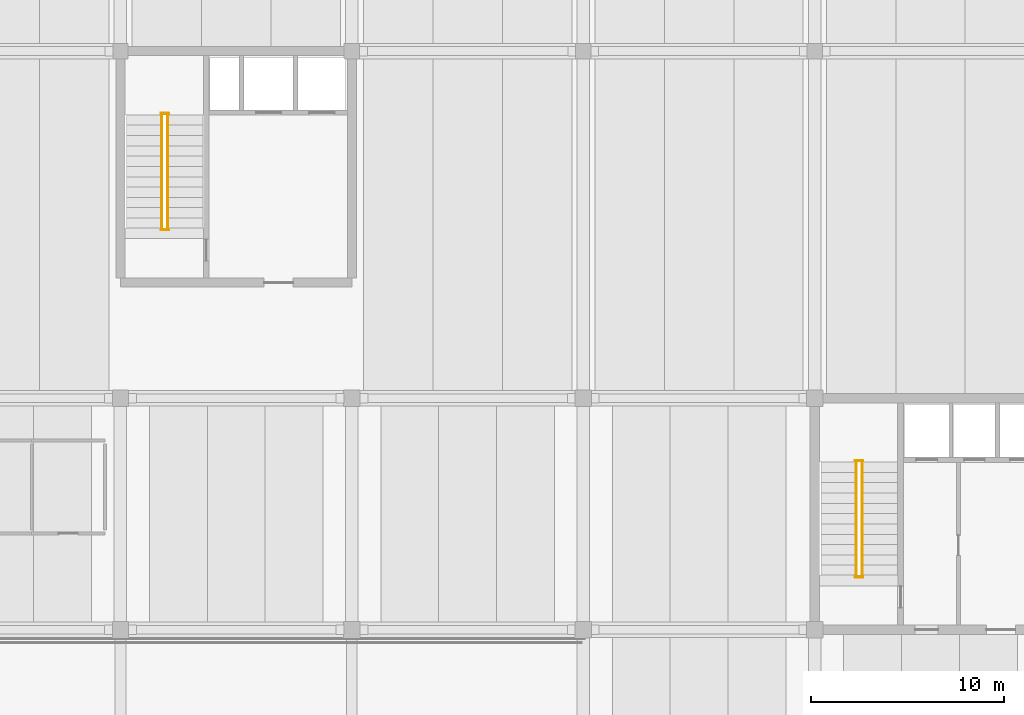
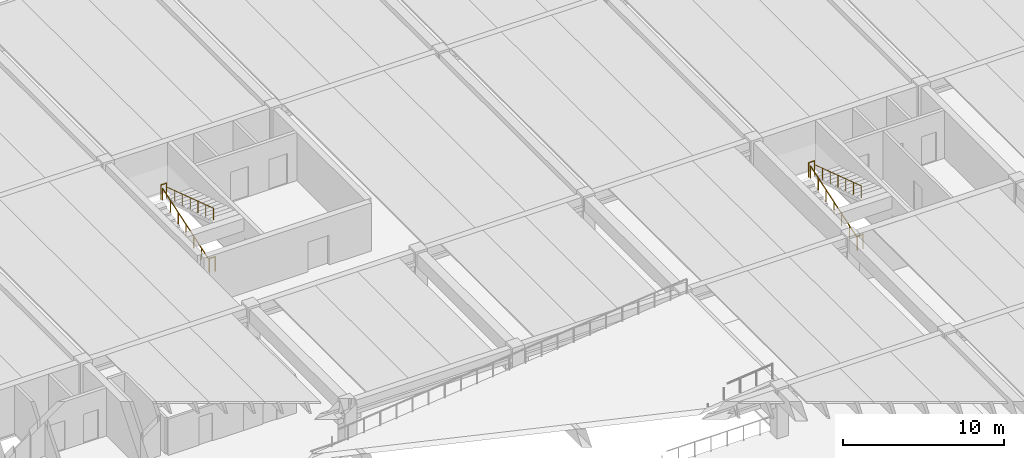
# One storey, part 15 of 16: 8 railings.
"""IFC4 building model written with IfcOpenShell, lengths in metres."""

from ifc_helpers import new_model, si_unit, direction, frame, origin, origin_2d, place, context, subcontext, project, spatial, circle, extrude, material, layer, layer_set, type_object, element, save


model = new_model("IFC4")

# Units and contexts
model_context = context("Model", 3, precision=1e-05, world=origin(), true_north=direction((0.0, 1.0)))
body_context = subcontext(model_context, "Body", "Model", "MODEL_VIEW")
ifc_project = project(units=[si_unit("LENGTHUNIT", "METRE"), si_unit("AREAUNIT", "SQUARE_METRE"), si_unit("VOLUMEUNIT", "CUBIC_METRE"), si_unit("PLANEANGLEUNIT", "RADIAN"), si_unit("MASSUNIT", "GRAM", prefix="KILO")], contexts=[model_context])

# Site, building, storey
site_placement = place(None, origin())
site = spatial("IfcSite", under=ifc_project, at=site_placement, CompositionType="ELEMENT")
building_placement = place(site_placement, origin())
building = spatial("IfcBuilding", under=site, at=building_placement, Name="Girod Span Mobility Hub", CompositionType="ELEMENT")
storey_placement = place(building_placement, frame((0.0, 0.0, 21.0)))
storey = spatial("IfcBuildingStorey", under=building, at=storey_placement, Name="L05", CompositionType="ELEMENT", Elevation=21.0)

# Railings
ifc_material_1 = material(Name="Painted Galvanised Steel", Category="steel")
ifc_layer_1 = layer(ifc_material_1, 0.06494140625)
ifc_layer_set_1 = layer_set([ifc_layer_1], Name="Painted Galvanised Steel")
railing_type_1 = type_object("IfcRailingType", Name="RL-GRD-1120", PredefinedType="GUARDRAIL", material=ifc_layer_set_1)
for number, where, name in (
    (1, (110.10009765625, 65.77001953125, 1.89990234375), "Stair ST-2 Half-Landing Well Guard L05"),
    (2, (110.10009765625, 59.72998046875, 0.0), "Stair ST-2 Landing Well Guard L05"),
    (3, (74.10009765625, 83.77001953125, 1.89990234375), "Stair ST-4 Half-Landing Well Guard L05"),
    (4, (74.10009765625, 77.72998046875, 0.0), "Stair ST-4 Landing Well Guard L05"),
):
    element("IfcRailing", number, at=place(storey_placement, frame(where)), inside=storey, type_object=railing_type_1, Name=name, PredefinedType="GUARDRAIL", context=body_context, shape_type="SweptSolid", body=[
        extrude(circle(Radius=0.02392578125, at=origin_2d()), frame((0.0, 0.0, 1.09619140625), z_axis=(1.0, 0.0, 0.0), x_axis=(0.0, 1.0, 0.0)), (0.0, 0.0, 1.0), 0.39990234375),
        extrude(circle(Radius=0.02099609375, at=origin_2d()), origin(), (0.0, 0.0, 1.0), 1.072021484375),
        extrude(circle(Radius=0.02099609375, at=origin_2d()), frame((0.39990234375, 0.0, 0.0)), (0.0, 0.0, 1.0), 1.072021484375),
    ])
ifc_material_2 = material(Name="Painted Galvanised Steel", Category="steel")
ifc_layer_2 = layer(ifc_material_2, 0.050048828125)
ifc_layer_set_2 = layer_set([ifc_layer_2], Name="Painted Galvanised Steel")
railing_type_2 = type_object("IfcRailingType", Name="RL-HR-920", PredefinedType="HANDRAIL", material=ifc_layer_set_2)
railing_1_placement = place(storey_placement, frame((110.14990234375, 59.860107421875, 0.0)))
element("IfcRailing", 5, at=railing_1_placement, inside=storey, type_object=railing_type_2, Name="Stair ST-2 Flight 1 Handrail L05", PredefinedType="HANDRAIL", context=body_context, shape_type="SweptSolid", body=[
    extrude(circle(Radius=0.02392578125, at=origin_2d()), frame((0.0, 0.0, 0.89599609375), z_axis=(0.0, 0.949991280403, 0.312276427477), x_axis=(-1.0, 0.0, 0.0)), (0.0, 0.0, 1.0), 6.083984375),
    extrude(circle(Radius=0.02099609375, at=origin_2d()), origin(), (0.0, 0.0, 1.0), 0.871826171875),
    extrude(circle(Radius=0.02099609375, at=origin_2d()), frame((0.0, 0.96337890625, 0.316650390625)), (0.0, 0.0, 1.0), 0.871826171875),
    extrude(circle(Radius=0.02099609375, at=origin_2d()), frame((0.0, 1.926513671875, 0.63330078125)), (0.0, 0.0, 1.0), 0.871826171875),
    extrude(circle(Radius=0.02099609375, at=origin_2d()), frame((0.0, 2.889892578125, 0.949951171875)), (0.0, 0.0, 1.0), 0.871826171875),
    extrude(circle(Radius=0.02099609375, at=origin_2d()), frame((0.0, 3.853271484375, 1.2666015625)), (0.0, 0.0, 1.0), 0.871826171875),
    extrude(circle(Radius=0.02099609375, at=origin_2d()), frame((0.0, 4.81640625, 1.583251953125)), (0.0, 0.0, 1.0), 0.871826171875),
    extrude(circle(Radius=0.02099609375, at=origin_2d()), frame((0.0, 5.77978515625, 1.89990234375)), (0.0, 0.0, 1.0), 0.871826171875),
])
railing_2_placement = place(storey_placement, frame((110.449951171875, 65.639892578125, 1.89990234375)))
element("IfcRailing", 6, at=railing_2_placement, inside=storey, type_object=railing_type_2, Name="Stair ST-2 Flight 2 Handrail L05", PredefinedType="HANDRAIL", context=body_context, shape_type="SweptSolid", body=[
    extrude(circle(Radius=0.02392578125, at=origin_2d()), frame((0.0, 0.0, 0.89599609375), z_axis=(0.0, -0.949979375482, 0.31231264169), x_axis=(1.0, 0.0, 0.0)), (0.0, 0.0, 1.0), 6.084228515625),
    extrude(circle(Radius=0.02099609375, at=origin_2d()), origin(), (0.0, 0.0, 1.0), 0.871826171875),
    extrude(circle(Radius=0.02099609375, at=origin_2d()), frame((0.0, -0.96337890625, 0.316650390625)), (0.0, 0.0, 1.0), 0.871826171875),
    extrude(circle(Radius=0.02099609375, at=origin_2d()), frame((0.0, -1.926513671875, 0.63330078125)), (0.0, 0.0, 1.0), 0.871826171875),
    extrude(circle(Radius=0.02099609375, at=origin_2d()), frame((0.0, -2.889892578125, 0.9501953125)), (0.0, 0.0, 1.0), 0.871826171875),
    extrude(circle(Radius=0.02099609375, at=origin_2d()), frame((0.0, -3.853271484375, 1.266845703125)), (0.0, 0.0, 1.0), 0.871826171875),
    extrude(circle(Radius=0.02099609375, at=origin_2d()), frame((0.0, -4.81640625, 1.58349609375)), (0.0, 0.0, 1.0), 0.871826171875),
    extrude(circle(Radius=0.02099609375, at=origin_2d()), frame((0.0, -5.77978515625, 1.900146484375)), (0.0, 0.0, 1.0), 0.871826171875),
])
railing_3_placement = place(storey_placement, frame((74.14990234375, 77.860107421875, 0.0)))
element("IfcRailing", 7, at=railing_3_placement, inside=storey, type_object=railing_type_2, Name="Stair ST-4 Flight 1 Handrail L05", PredefinedType="HANDRAIL", context=body_context, shape_type="SweptSolid", body=[
    extrude(circle(Radius=0.02392578125, at=origin_2d()), frame((0.0, 0.0, 0.89599609375), z_axis=(0.0, 0.949991280403, 0.312276427477), x_axis=(-1.0, 0.0, 0.0)), (0.0, 0.0, 1.0), 6.083984375),
    extrude(circle(Radius=0.02099609375, at=origin_2d()), origin(), (0.0, 0.0, 1.0), 0.871826171875),
    extrude(circle(Radius=0.02099609375, at=origin_2d()), frame((0.0, 0.96337890625, 0.316650390625)), (0.0, 0.0, 1.0), 0.871826171875),
    extrude(circle(Radius=0.02099609375, at=origin_2d()), frame((0.0, 1.926513671875, 0.63330078125)), (0.0, 0.0, 1.0), 0.871826171875),
    extrude(circle(Radius=0.02099609375, at=origin_2d()), frame((0.0, 2.889892578125, 0.949951171875)), (0.0, 0.0, 1.0), 0.871826171875),
    extrude(circle(Radius=0.02099609375, at=origin_2d()), frame((0.0, 3.853271484375, 1.2666015625)), (0.0, 0.0, 1.0), 0.871826171875),
    extrude(circle(Radius=0.02099609375, at=origin_2d()), frame((0.0, 4.81640625, 1.583251953125)), (0.0, 0.0, 1.0), 0.871826171875),
    extrude(circle(Radius=0.02099609375, at=origin_2d()), frame((0.0, 5.77978515625, 1.89990234375)), (0.0, 0.0, 1.0), 0.871826171875),
])
railing_4_placement = place(storey_placement, frame((74.449951171875, 83.639892578125, 1.89990234375)))
element("IfcRailing", 8, at=railing_4_placement, inside=storey, type_object=railing_type_2, Name="Stair ST-4 Flight 2 Handrail L05", PredefinedType="HANDRAIL", context=body_context, shape_type="SweptSolid", body=[
    extrude(circle(Radius=0.02392578125, at=origin_2d()), frame((0.0, 0.0, 0.89599609375), z_axis=(0.0, -0.949979375482, 0.31231264169), x_axis=(1.0, 0.0, 0.0)), (0.0, 0.0, 1.0), 6.084228515625),
    extrude(circle(Radius=0.02099609375, at=origin_2d()), origin(), (0.0, 0.0, 1.0), 0.871826171875),
    extrude(circle(Radius=0.02099609375, at=origin_2d()), frame((0.0, -0.96337890625, 0.316650390625)), (0.0, 0.0, 1.0), 0.871826171875),
    extrude(circle(Radius=0.02099609375, at=origin_2d()), frame((0.0, -1.926513671875, 0.63330078125)), (0.0, 0.0, 1.0), 0.871826171875),
    extrude(circle(Radius=0.02099609375, at=origin_2d()), frame((0.0, -2.889892578125, 0.9501953125)), (0.0, 0.0, 1.0), 0.871826171875),
    extrude(circle(Radius=0.02099609375, at=origin_2d()), frame((0.0, -3.853271484375, 1.266845703125)), (0.0, 0.0, 1.0), 0.871826171875),
    extrude(circle(Radius=0.02099609375, at=origin_2d()), frame((0.0, -4.81640625, 1.58349609375)), (0.0, 0.0, 1.0), 0.871826171875),
    extrude(circle(Radius=0.02099609375, at=origin_2d()), frame((0.0, -5.77978515625, 1.900146484375)), (0.0, 0.0, 1.0), 0.871826171875),
])

save(model, "model.ifc")
